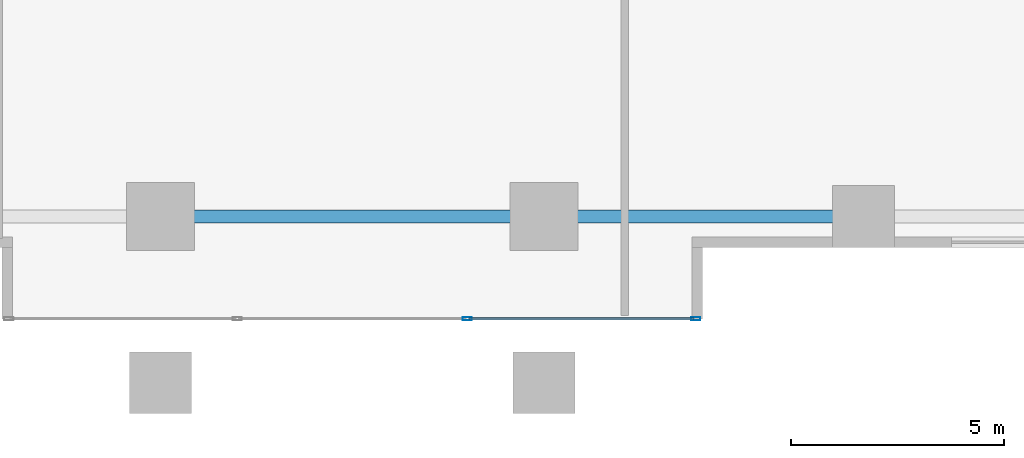
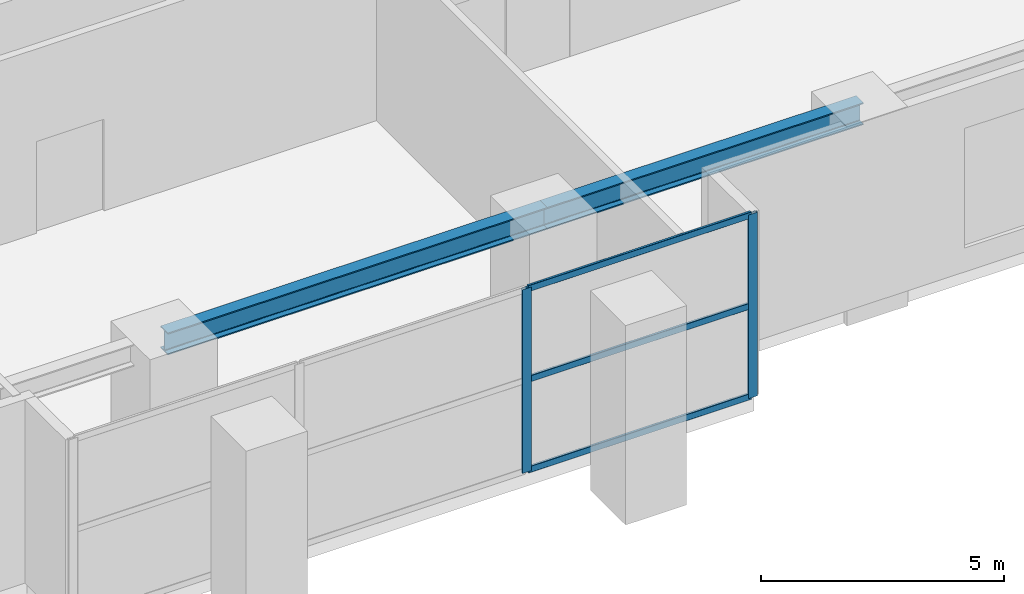
# One storey, part 4 of 20: 5 members, 2 beams, 1 element without a shape of its own.
"""IFC4 building model written with IfcOpenShell, lengths in metres."""

from ifc_helpers import new_model, si_unit, direction, frame, origin, origin_2d, place, context, subcontext, project, spatial, hollow_rectangle, i_section, extrude, source, transform, mapped, material, layer, layer_set, material_profile, profile_set, type_object, element, aggregate, save


model = new_model("IFC4")

# Units and contexts
model_context = context("Model", 3, precision=1e-05, world=origin(), true_north=direction((0.0, 1.0)))
body_context = subcontext(model_context, "Body", "Model", "MODEL_VIEW")
ifc_project = project(units=[si_unit("LENGTHUNIT", "METRE"), si_unit("AREAUNIT", "SQUARE_METRE"), si_unit("VOLUMEUNIT", "CUBIC_METRE"), si_unit("PLANEANGLEUNIT", "RADIAN"), si_unit("MASSUNIT", "GRAM", prefix="KILO")], contexts=[model_context])

# Site, building, storey
site_placement = place(None, origin())
site = spatial("IfcSite", under=ifc_project, at=site_placement, CompositionType="ELEMENT")
building_placement = place(site_placement, origin())
building = spatial("IfcBuilding", under=site, at=building_placement, Name="Serunith Strait Residences", CompositionType="ELEMENT")
storey_placement = place(building_placement, frame((0.0, 0.0, 5.5)))
storey = spatial("IfcBuildingStorey", under=building, at=storey_placement, Name="L01", CompositionType="ELEMENT", Elevation=5.5)

# Beams
ifc_material_1 = material(Name="Steel S355J2", Category="steel")
ifc_material_profile_1 = material_profile(ifc_material_1, i_section(OverallWidth=0.300048828125, OverallDepth=0.550048828125, WebThickness=0.014892578125, FlangeThickness=0.029052734375, FilletRadius=0.027099609375, at=origin_2d()), Name="HEB 550")
ifc_profile_set_1 = profile_set([ifc_material_profile_1], Name="Steel S355J2")
beam_type = type_object("IfcBeamType", Name="BM-HEB550", PredefinedType="BEAM", material=ifc_profile_set_1)
shared_shape_1 = source(origin(), body_context, "Body", "SweptSolid", [
    extrude(i_section(OverallWidth=0.300048828125, OverallDepth=0.550048828125, WebThickness=0.014892578125, FlangeThickness=0.029052734375, FilletRadius=0.027099609375, at=origin_2d()), origin(), (0.0, 0.0, 1.0), 7.5),
])
beam_1_placement = place(storey_placement, frame((36.89990234375, 4.800048828125, 4.342041015625), z_axis=(1.0, 0.0, 0.0), x_axis=(0.0, 1.0, 0.0)))
element("IfcBeam", 1, at=beam_1_placement, inside=storey, type_object=beam_type, Name="BM-L01-04", PredefinedType="BEAM", context=body_context, shape_type="MappedRepresentation", body=[
    mapped(shared_shape_1, transform((0.0, 0.0, 0.0), scale=1.0)),
])
shared_shape_2 = source(origin(), body_context, "Body", "SweptSolid", [
    extrude(i_section(OverallWidth=0.300048828125, OverallDepth=0.550048828125, WebThickness=0.014892578125, FlangeThickness=0.029052734375, FilletRadius=0.027099609375, at=origin_2d()), origin(), (0.0, 0.0, 1.0), 9.0),
])
beam_2_placement = place(storey_placement, frame((27.89990234375, 4.800048828125, 4.342041015625), z_axis=(1.0, 0.0, 0.0), x_axis=(0.0, 1.0, 0.0)))
element("IfcBeam", 2, at=beam_2_placement, inside=storey, type_object=beam_type, Name="BM-L01-03", PredefinedType="BEAM", context=body_context, shape_type="MappedRepresentation", body=[
    mapped(shared_shape_2, transform((0.0, 0.0, 0.0), scale=1.0)),
])

# Curtain wall, members
ifc_material_2 = material(Name="Pale-Champagne Anodised Aluminium", Category="aluminium")
ifc_layer = layer(ifc_material_2, 0.199951171875, Name="Pale-Champagne Anodised Aluminium")
ifc_layer_set = layer_set([ifc_layer], Name="Pale-Champagne Anodised Aluminium")
curtain_wall_type = type_object("IfcCurtainWallType", Name="CW-SYS6", PredefinedType="NOTDEFINED", material=ifc_layer_set)
curtain_wall_placement = place(storey_placement, origin())
curtain_wall = element("IfcCurtainWall", 3, at=curtain_wall_placement, inside=storey, type_object=curtain_wall_type, Name="L01 Podium Galleria Curtain Wall 3A", PredefinedType="NOTDEFINED")
ifc_material_profile_2 = material_profile(ifc_material_2, hollow_rectangle(XDim=0.074951171875, YDim=0.219970703125, WallThickness=0.00390625, InnerFilletRadius=0.006103515625, OuterFilletRadius=0.010009765625, at=origin_2d()), Name="ALU 220x75x4")
ifc_profile_set_2 = profile_set([ifc_material_profile_2], Name="Pale-Champagne Anodised Aluminium")
member_type_1 = type_object("IfcMemberType", Name="CW-SYS6-MULL", PredefinedType="MULLION", material=ifc_profile_set_2)
shared_shape_3 = source(origin(), body_context, "Body", "SweptSolid", [
    extrude(hollow_rectangle(XDim=0.074951171875, YDim=0.219970703125, WallThickness=0.00390625, InnerFilletRadius=0.006103515625, OuterFilletRadius=0.010009765625, at=origin_2d()), origin(), (0.0, 0.0, 1.0), 4.60498046875),
])
member_1_placement = place(storey_placement, frame((35.10009765625, 2.39990234375, 0.0), z_axis=(0.0, 0.0, 1.0), x_axis=(0.0, 1.0, 0.0)))
member_1 = element("IfcMember", 4, at=member_1_placement, type_object=member_type_1, Name="CW-6 mullion 3", PredefinedType="MULLION", context=body_context, shape_type="MappedRepresentation", body=[
    mapped(shared_shape_3, transform((0.0, 0.0, 0.0), scale=1.0)),
])
member_2_placement = place(storey_placement, frame((40.46240234375, 2.39990234375, 0.0), z_axis=(0.0, 0.0, 1.0), x_axis=(0.0, 1.0, 0.0)))
member_2 = element("IfcMember", 5, at=member_2_placement, type_object=member_type_1, Name="CW-6 mullion 4", PredefinedType="MULLION", context=body_context, shape_type="MappedRepresentation", body=[
    mapped(shared_shape_3, transform((0.0, 0.0, 0.0), scale=1.0)),
])
ifc_material_profile_3 = material_profile(ifc_material_2, hollow_rectangle(XDim=0.06005859375, YDim=0.159912109375, WallThickness=0.00341796875, InnerFilletRadius=0.00537109375, OuterFilletRadius=0.0087890625, at=origin_2d()), Name="ALU 160x60x3.5")
ifc_profile_set_3 = profile_set([ifc_material_profile_3], Name="Pale-Champagne Anodised Aluminium")
member_type_2 = type_object("IfcMemberType", Name="CW-SYS6-TRAN", PredefinedType="USERDEFINED", material=ifc_profile_set_3)
shared_shape_4 = source(origin(), body_context, "Body", "SweptSolid", [
    extrude(hollow_rectangle(XDim=0.06005859375, YDim=0.159912109375, WallThickness=0.00341796875, InnerFilletRadius=0.00537109375, OuterFilletRadius=0.0087890625, at=origin_2d()), origin(), (0.0, 0.0, 1.0), 5.28759765625),
])
member_3_placement = place(storey_placement, frame((35.137451171875, 2.39990234375, 0.030029296875), z_axis=(1.0, 0.0, 0.0), x_axis=(0.0, 1.0, 0.0)))
member_3 = element("IfcMember", 6, at=member_3_placement, type_object=member_type_2, Name="CW-6 transom 3.1", ObjectType="TRANSOM", PredefinedType="USERDEFINED", context=body_context, shape_type="MappedRepresentation", body=[
    mapped(shared_shape_4, transform((0.0, 0.0, 0.0), scale=1.0)),
])
member_4_placement = place(storey_placement, frame((35.137451171875, 2.39990234375, 2.302490234375), z_axis=(1.0, 0.0, 0.0), x_axis=(0.0, 1.0, 0.0)))
member_4 = element("IfcMember", 7, at=member_4_placement, type_object=member_type_2, Name="CW-6 transom 3.2", ObjectType="TRANSOM", PredefinedType="USERDEFINED", context=body_context, shape_type="MappedRepresentation", body=[
    mapped(shared_shape_4, transform((0.0, 0.0, 0.0), scale=1.0)),
])
member_5_placement = place(storey_placement, frame((35.137451171875, 2.39990234375, 4.574951171875), z_axis=(1.0, 0.0, 0.0), x_axis=(0.0, 1.0, 0.0)))
member_5 = element("IfcMember", 8, at=member_5_placement, type_object=member_type_2, Name="CW-6 transom 3.3", ObjectType="TRANSOM", PredefinedType="USERDEFINED", context=body_context, shape_type="MappedRepresentation", body=[
    mapped(shared_shape_4, transform((0.0, 0.0, 0.0), scale=1.0)),
])
aggregate(curtain_wall, [member_1, member_2, member_3, member_4, member_5])

save(model, "model.ifc")
